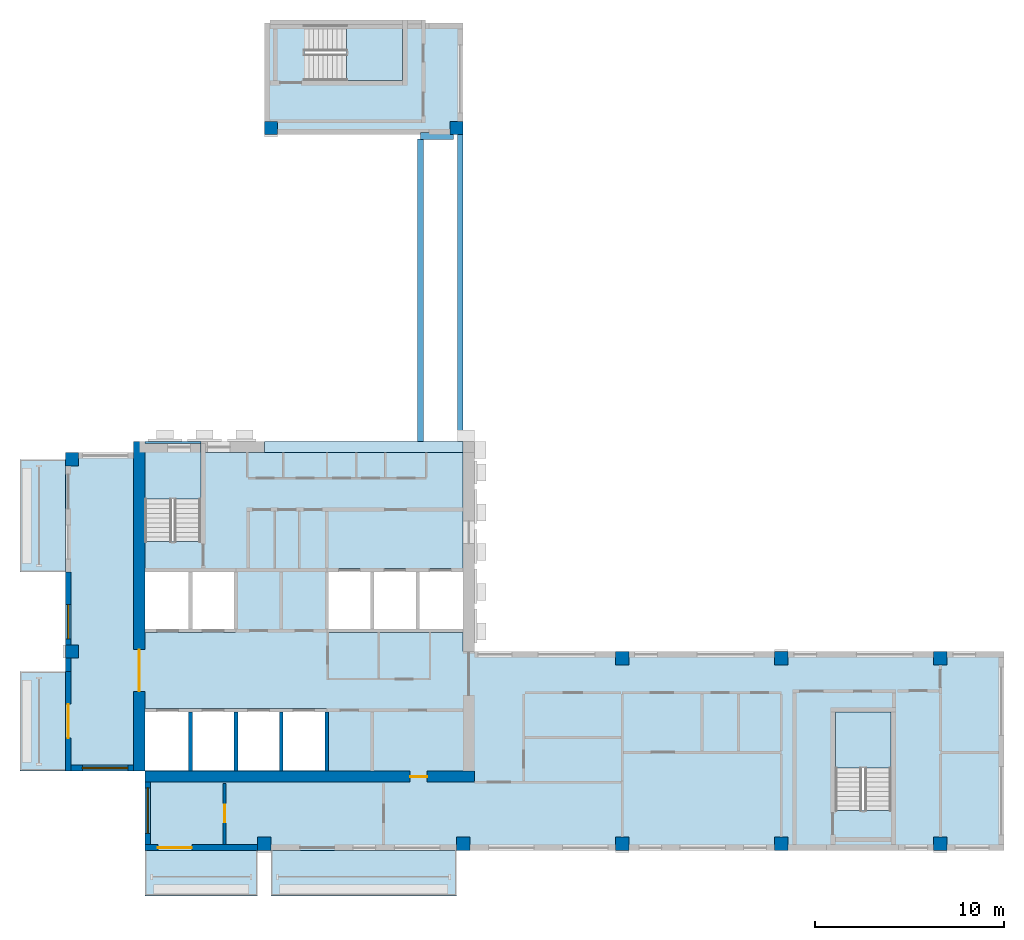
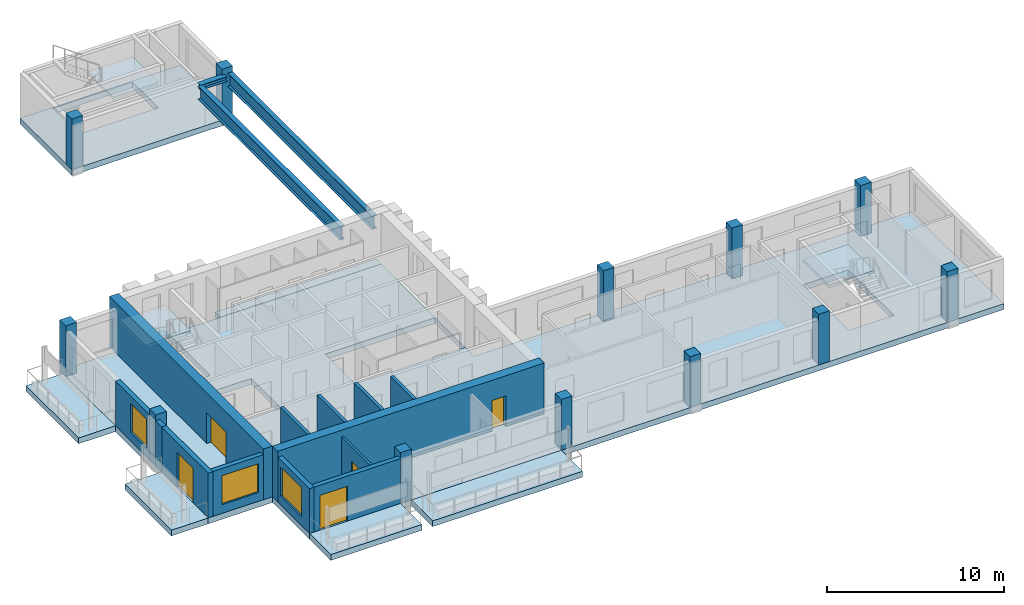
# One storey, part 1 of 9: 13 walls, 12 columns, 11 slabs, 5 doors, 3 beams, 3 windows, 8 openings, 3 elements without a shape of their own.
"""IFC4 building model written with IfcOpenShell, lengths in metres."""

from ifc_helpers import new_model, si_unit, direction, frame, frame_2d, origin, origin_2d, place, context, subcontext, project, spatial, polyline, rectangle, i_section, outline, extrude, source, transform, mapped, material, layer, layer_set, material_profile, profile_set, type_object, element, fill, aggregate, save


model = new_model("IFC4")

# Units and contexts
model_context = context("Model", 3, precision=1e-05, world=origin(), true_north=direction((0.0, 1.0)))
body_context = subcontext(model_context, "Body", "Model", "MODEL_VIEW")
ifc_project = project(units=[si_unit("LENGTHUNIT", "METRE"), si_unit("AREAUNIT", "SQUARE_METRE"), si_unit("VOLUMEUNIT", "CUBIC_METRE"), si_unit("PLANEANGLEUNIT", "RADIAN"), si_unit("MASSUNIT", "GRAM", prefix="KILO")], contexts=[model_context])

# Site, building, storey
site_placement = place(None, origin())
site = spatial("IfcSite", under=ifc_project, at=site_placement, CompositionType="ELEMENT")
building_placement = place(site_placement, origin())
building = spatial("IfcBuilding", under=site, at=building_placement, Name="Aurelian Terraces", CompositionType="ELEMENT")
storey_placement = place(building_placement, frame((0.0, 0.0, 319.5)))
storey = spatial("IfcBuildingStorey", under=building, at=storey_placement, Name="L74", CompositionType="ELEMENT", Elevation=319.5)

# Columns
ifc_material_1 = material(Name="Concrete fc' 55 MPa", Category="concrete")
ifc_material_profile_1 = material_profile(ifc_material_1, rectangle(XDim=0.7, YDim=0.7, at=origin_2d()))
ifc_profile_set_1 = profile_set([ifc_material_profile_1], Name="Concrete fc' 55 MPa")
column_type = type_object("IfcColumnType", Name="RC COLUMN 700X700 FC55", PredefinedType="COLUMN", material=ifc_profile_set_1)
shared_shape_1 = source(origin(), body_context, "Body", "SweptSolid", [
    extrude(rectangle(XDim=0.7, YDim=0.7, at=origin_2d()), origin(), (0.0, 0.0, 1.0), 3.5),
])
for number, where, z_axis, x_axis, name in (
    (1, (10.5, 0.35, 0.0), (0.0, 0.0, 1.0), (1.0, 0.0, 0.0), "Column 2/A L74"),
    (2, (21.0, 0.35, 0.0), (0.0, 0.0, 1.0), (1.0, 0.0, 0.0), "Column 3/A L74"),
    (3, (29.4, 0.35, 0.0), (0.0, 0.0, 1.0), (1.0, 0.0, 0.0), "Column 4/A L74"),
    (4, (37.8, 0.35, 0.0), (0.0, 0.0, 1.0), (1.0, 0.0, 0.0), "Column 5/A L74"),
    (5, (46.2, 0.35, 0.0), (0.0, 0.0, 1.0), (1.0, 0.0, 0.0), "Column 6/A L74"),
    (6, (0.35, 10.5, 0.0), (0.0, 0.0, 1.0), (1.0, 0.0, 0.0), "Column 1/B L74"),
    (7, (29.4, 10.15, 0.0), (0.0, 0.0, 1.0), (1.0, 0.0, 0.0), "Column 4/B L74"),
    (8, (37.8, 10.15, 0.0), (0.0, 0.0, 1.0), (1.0, 0.0, 0.0), "Column 5/B L74"),
    (9, (46.2, 10.15, 0.0), (0.0, 0.0, 1.0), (1.0, 0.0, 0.0), "Column 6/B L74"),
    (10, (0.35, 20.65, 0.0), (0.0, 0.0, 1.0), (1.0, 0.0, 0.0), "Column 1/C L74"),
    (11, (10.85, 38.15, 0.0), (0.0, 0.0, 1.0), (1.0, 0.0, 0.0), "Column 2/E L74"),
    (12, (20.65, 38.15, 0.0), (0.0, 0.0, 1.0), (1.0, 0.0, 0.0), "Column 3/E L74"),
):
    element("IfcColumn", number, at=place(storey_placement, frame(where, z_axis=z_axis, x_axis=x_axis)), inside=storey, type_object=column_type, Name=name, PredefinedType="COLUMN", context=body_context, shape_type="MappedRepresentation", body=[
        mapped(shared_shape_1, transform((0.0, 0.0, 0.0), scale=1.0)),
    ])

# Beams
ifc_material_2 = material(Name="Steel ASTM A992 Gr50", Category="steel")
ifc_material_profile_2 = material_profile(ifc_material_2, i_section(OverallWidth=0.3077, OverallDepth=0.9268, WebThickness=0.0194, FlangeThickness=0.032, at=origin_2d()))
ifc_profile_set_2 = profile_set([ifc_material_profile_2], Name="Steel ASTM A992 Gr50")
beam_type_1 = type_object("IfcBeamType", Name="PC903 PORTAL CHORD W36X194", PredefinedType="BEAM", material=ifc_profile_set_2)
shared_shape_2 = source(origin(), body_context, "Body", "SweptSolid", [
    extrude(i_section(OverallWidth=0.3077, OverallDepth=0.9268, WebThickness=0.0194, FlangeThickness=0.032, at=origin_2d()), origin(), (0.0, 0.0, 1.0), 16.0556),
])
beam_1_placement = place(storey_placement, frame((18.7538, 21.5, 2.6364), z_axis=(0.0, 1.0, 0.0), x_axis=(-1.0, 0.0, 0.0)))
element("IfcBeam", 13, at=beam_1_placement, inside=storey, type_object=beam_type_1, Name="Link girder 1 L75", PredefinedType="BEAM", context=body_context, shape_type="MappedRepresentation", body=[
    mapped(shared_shape_2, transform((0.0, 0.0, 0.0), scale=1.0)),
])
shared_shape_3 = source(origin(), body_context, "Body", "SweptSolid", [
    extrude(i_section(OverallWidth=0.3077, OverallDepth=0.9268, WebThickness=0.0194, FlangeThickness=0.032, at=origin_2d()), origin(), (0.0, 0.0, 1.0), 16.3),
])
beam_2_placement = place(storey_placement, frame((20.8462, 21.5, 2.6364), z_axis=(0.0, 1.0, 0.0), x_axis=(-1.0, 0.0, 0.0)))
element("IfcBeam", 14, at=beam_2_placement, inside=storey, type_object=beam_type_1, Name="Link girder 2 L75", PredefinedType="BEAM", context=body_context, shape_type="MappedRepresentation", body=[
    mapped(shared_shape_3, transform((0.0, 0.0, 0.0), scale=1.0)),
])
ifc_material_profile_3 = material_profile(ifc_material_2, i_section(OverallWidth=0.3688, OverallDepth=0.3561, WebThickness=0.0112, FlangeThickness=0.018, at=origin_2d()))
ifc_profile_set_3 = profile_set([ifc_material_profile_3], Name="Steel ASTM A992 Gr50")
beam_type_2 = type_object("IfcBeamType", Name="PC904 PORTAL CHORD W14X90", PredefinedType="BEAM", material=ifc_profile_set_3)
shared_shape_4 = source(origin(), body_context, "Body", "SweptSolid", [
    extrude(i_section(OverallWidth=0.3688, OverallDepth=0.3561, WebThickness=0.0112, FlangeThickness=0.018, at=origin_2d()), origin(), (0.0, 0.0, 1.0), 1.7462),
])
beam_3_placement = place(storey_placement, frame((18.7538, 37.72, 2.9218), z_axis=(1.0, 0.0, 0.0), x_axis=(0.0, 1.0, 0.0)))
element("IfcBeam", 15, at=beam_3_placement, inside=storey, type_object=beam_type_2, Name="Link cross beam L75", PredefinedType="BEAM", context=body_context, shape_type="MappedRepresentation", body=[
    mapped(shared_shape_4, transform((0.0, 0.0, 0.0), scale=1.0)),
])

# Slabs
ifc_material_3 = material(Name="Concrete fc' 40 MPa", Category="concrete")
ifc_layer_1 = layer(ifc_material_3, 0.4)
ifc_layer_set_1 = layer_set([ifc_layer_1], Name="PT FLAT PLATE 400")
slab_type_1 = type_object("IfcSlabType", Name="PT FLAT PLATE 400", PredefinedType="FLOOR", material=ifc_layer_set_1)
shared_shape_5 = source(origin(), body_context, "Body", "SweptSolid", [
    extrude(outline(polyline([(21.0, 0.0), (4.2, 0.0), (4.2, 4.2), (0.0, 4.2), (0.0, 10.5), (0.0, 21.0), (4.21, 21.0), (4.21, 16.31), (7.14, 16.31), (7.14, 21.0), (21.0, 21.0), (21.0, 10.5), (49.56, 10.5), (49.56, 6.3), (49.56, 4.2), (49.56, 0.0), (21.0, 0.0)]), holes=[polyline([(40.66, 2.11), (43.59, 2.11), (43.59, 7.29), (40.66, 7.29), (40.66, 2.11)]), polyline([(13.81, 14.89), (13.81, 11.51), (20.99, 11.51), (20.99, 14.89), (13.81, 14.89)]), polyline([(4.21, 7.49), (4.21, 4.21), (13.79, 4.21), (13.79, 7.49), (4.21, 7.49)]), polyline([(8.99, 11.51), (8.99, 14.89), (4.21, 14.89), (4.21, 11.51), (8.99, 11.51)])]), origin(), (0.0, 0.0, 1.0), 0.4),
])
slab_1_placement = place(storey_placement, frame((0.0, 0.0, -0.4)))
element("IfcSlab", 16, at=slab_1_placement, inside=storey, type_object=slab_type_1, Name="Floor slab S L74", PredefinedType="FLOOR", context=body_context, shape_type="MappedRepresentation", body=[
    mapped(shared_shape_5, transform((0.0, 0.0, 0.0), scale=1.0)),
])
shared_shape_6 = source(origin(), body_context, "Body", "SweptSolid", [
    extrude(outline(polyline([(14.7, 43.68), (16.8, 43.68), (21.0, 43.68), (21.0, 37.8), (10.5, 37.8), (10.5, 43.68), (14.7, 43.68)]), holes=[polyline([(17.79, 43.59), (12.61, 43.59), (12.61, 40.66), (17.79, 40.66), (17.79, 43.59)])]), origin(), (0.0, 0.0, 1.0), 0.4),
])
slab_2_placement = place(storey_placement, frame((0.0, 0.0, -0.4)))
element("IfcSlab", 17, at=slab_2_placement, inside=storey, type_object=slab_type_1, Name="Floor slab W L74", PredefinedType="FLOOR", context=body_context, shape_type="MappedRepresentation", body=[
    mapped(shared_shape_6, transform((0.0, 0.0, 0.0), scale=1.0)),
])
shared_shape_7 = source(origin(), body_context, "Body", "SweptSolid", [
    extrude(outline(polyline([(21.0, 21.6), (21.0, 21.0), (10.5, 21.0), (10.5, 21.6), (21.0, 21.6)])), origin(), (0.0, 0.0, 1.0), 0.4),
])
slab_3_placement = place(storey_placement, frame((0.0, 0.0, -0.4)))
element("IfcSlab", 18, at=slab_3_placement, inside=storey, type_object=slab_type_1, Name="Floor slab W2 L74", PredefinedType="FLOOR", context=body_context, shape_type="MappedRepresentation", body=[
    mapped(shared_shape_7, transform((0.0, 0.0, 0.0), scale=1.0)),
])
shared_shape_8 = source(origin(), body_context, "Body", "SweptSolid", [
    extrude(outline(polyline([(4.2, 21.6), (7.15, 21.6), (7.15, 21.0), (7.14, 21.0), (7.14, 21.49), (4.21, 21.49), (4.21, 21.0), (4.2, 21.0), (4.2, 21.6)])), origin(), (0.0, 0.0, 1.0), 0.4),
])
slab_4_placement = place(storey_placement, frame((0.0, 0.0, -0.4)))
element("IfcSlab", 19, at=slab_4_placement, inside=storey, type_object=slab_type_1, Name="Floor slab W3 L74", PredefinedType="FLOOR", context=body_context, shape_type="MappedRepresentation", body=[
    mapped(shared_shape_8, transform((0.0, 0.0, 0.0), scale=1.0)),
])
ifc_layer_2 = layer(ifc_material_3, 0.4)
ifc_layer_set_2 = layer_set([ifc_layer_2], Name="Balcony slab 400")
slab_type_2 = type_object("IfcSlabType", Name="Balcony slab 400", PredefinedType="NOTDEFINED", material=ifc_layer_set_2)
shared_shape_9 = source(origin(), body_context, "Body", "SweptSolid", [
    extrude(outline(polyline([(0.0, 9.45), (0.0, 4.2), (-2.4, 4.2), (-2.4, 9.45), (0.0, 9.45)])), origin(), (0.0, 0.0, 1.0), 0.4),
])
slab_5_placement = place(storey_placement, frame((0.0, 0.0, -0.4)))
element("IfcSlab", 20, at=slab_5_placement, inside=storey, type_object=slab_type_2, Name="Balcony slab L74 F12.20", PredefinedType="NOTDEFINED", context=body_context, shape_type="MappedRepresentation", body=[
    mapped(shared_shape_9, transform((0.0, 0.0, 0.0), scale=1.0)),
])
shared_shape_10 = source(origin(), body_context, "Body", "SweptSolid", [
    extrude(outline(polyline([(4.2, 0.0), (10.15, 0.0), (10.15, -2.4), (4.2, -2.4), (4.2, 0.0)])), origin(), (0.0, 0.0, 1.0), 0.4),
])
slab_6_placement = place(storey_placement, frame((0.0, 0.0, -0.4)))
element("IfcSlab", 21, at=slab_6_placement, inside=storey, type_object=slab_type_2, Name="Balcony slab L74 F01.1", PredefinedType="NOTDEFINED", context=body_context, shape_type="MappedRepresentation", body=[
    mapped(shared_shape_10, transform((0.0, 0.0, 0.0), scale=1.0)),
])
shared_shape_11 = source(origin(), body_context, "Body", "SweptSolid", [
    extrude(outline(polyline([(0.0, 20.65), (0.0, 14.7), (-2.4, 14.7), (-2.4, 20.65), (0.0, 20.65)])), origin(), (0.0, 0.0, 1.0), 0.4),
])
slab_7_placement = place(storey_placement, frame((0.0, 0.0, -0.4)))
element("IfcSlab", 22, at=slab_7_placement, inside=storey, type_object=slab_type_2, Name="Balcony slab L74 F12.18", PredefinedType="NOTDEFINED", context=body_context, shape_type="MappedRepresentation", body=[
    mapped(shared_shape_11, transform((0.0, 0.0, 0.0), scale=1.0)),
])
shared_shape_12 = source(origin(), body_context, "Body", "SweptSolid", [
    extrude(outline(polyline([(10.85, 0.0), (20.65, 0.0), (20.65, -2.4), (10.85, -2.4), (10.85, 0.0)])), origin(), (0.0, 0.0, 1.0), 0.4),
])
slab_8_placement = place(storey_placement, frame((0.0, 0.0, -0.4)))
element("IfcSlab", 23, at=slab_8_placement, inside=storey, type_object=slab_type_2, Name="Balcony slab L74 F01.2", PredefinedType="NOTDEFINED", context=body_context, shape_type="MappedRepresentation", body=[
    mapped(shared_shape_12, transform((0.0, 0.0, 0.0), scale=1.0)),
])

# Stair, slab
stair_type = type_object("IfcStairType", Name="Stair 1400", PredefinedType="HALF_TURN_STAIR", material=ifc_material_3)
stair_1_placement = place(storey_placement, origin())
stair_1 = element("IfcStair", 24, at=stair_1_placement, inside=storey, type_object=stair_type, Name="L74 S1", PredefinedType="HALF_TURN_STAIR")
ifc_layer_3 = layer(ifc_material_3, 0.2)
ifc_layer_set_3 = layer_set([ifc_layer_3], Name="Stair landing 200")
slab_type_3 = type_object("IfcSlabType", Name="Stair landing 200", PredefinedType="LANDING", material=ifc_layer_set_3)
shared_shape_13 = source(origin(), body_context, "Body", "SweptSolid", [
    extrude(outline(polyline([(7.15, 18.55), (7.15, 21.5), (4.2, 21.5), (4.2, 18.55), (7.15, 18.55)])), origin(), (0.0, 0.0, 1.0), 0.2),
])
slab_9_placement = place(storey_placement, frame((0.0, 0.0, 1.55)))
slab_9 = element("IfcSlab", 25, at=slab_9_placement, type_object=slab_type_3, Name="S1 landing 1", PredefinedType="LANDING", context=body_context, shape_type="MappedRepresentation", body=[
    mapped(shared_shape_13, transform((0.0, 0.0, 0.0), scale=1.0)),
])
aggregate(stair_1, [slab_9])

stair_2_placement = place(storey_placement, origin())
stair_2 = element("IfcStair", 26, at=stair_2_placement, inside=storey, type_object=stair_type, Name="L74 S2", PredefinedType="HALF_TURN_STAIR")
shared_shape_14 = source(origin(), body_context, "Body", "SweptSolid", [
    extrude(outline(polyline([(43.6, 4.35), (43.6, 7.3), (40.65, 7.3), (40.65, 4.35), (43.6, 4.35)])), origin(), (0.0, 0.0, 1.0), 0.2),
])
slab_10_placement = place(storey_placement, frame((0.0, 0.0, 1.55)))
slab_10 = element("IfcSlab", 27, at=slab_10_placement, type_object=slab_type_3, Name="S2 landing 1", PredefinedType="LANDING", context=body_context, shape_type="MappedRepresentation", body=[
    mapped(shared_shape_14, transform((0.0, 0.0, 0.0), scale=1.0)),
])
aggregate(stair_2, [slab_10])

stair_3_placement = place(storey_placement, origin())
stair_3 = element("IfcStair", 28, at=stair_3_placement, inside=storey, type_object=stair_type, Name="L74 S3U", PredefinedType="HALF_TURN_STAIR")
shared_shape_15 = source(origin(), body_context, "Body", "SweptSolid", [
    extrude(outline(polyline([(14.85, 40.65), (17.8, 40.65), (17.8, 43.6), (14.85, 43.6), (14.85, 40.65)])), origin(), (0.0, 0.0, 1.0), 0.2),
])
slab_11_placement = place(storey_placement, frame((0.0, 0.0, 1.55)))
slab_11 = element("IfcSlab", 29, at=slab_11_placement, type_object=slab_type_3, Name="S3U landing 1", PredefinedType="LANDING", context=body_context, shape_type="MappedRepresentation", body=[
    mapped(shared_shape_15, transform((0.0, 0.0, 0.0), scale=1.0)),
])
aggregate(stair_3, [slab_11])

# Wall, opening, door
ifc_layer_4 = layer(ifc_material_1, 0.6)
ifc_layer_set_4 = layer_set([ifc_layer_4], Name="CORE WALL 600 FC55")
wall_type_1 = type_object("IfcWallType", Name="CORE WALL 600 FC55", PredefinedType="SHEAR", material=ifc_layer_set_4)
shared_shape_16 = source(origin(), body_context, "Body", "SweptSolid", [
    extrude(rectangle(XDim=17.4, YDim=0.6, at=frame_2d((8.7, 0.0))), origin(), (0.0, 0.0, 1.0), 3.5),
])
wall_1_placement = place(storey_placement, frame((3.9, 4.2, 0.0), z_axis=(0.0, 0.0, 1.0), x_axis=(0.0, 1.0, 0.0)))
wall_1 = element("IfcWall", 30, at=wall_1_placement, inside=storey, type_object=wall_type_1, Name="Core wall W L74", PredefinedType="SHEAR", context=body_context, shape_type="MappedRepresentation", body=[
    mapped(shared_shape_16, transform((0.0, 0.0, 0.0), scale=1.0)),
])
shared_shape_17 = source(origin(), body_context, "Body", "SweptSolid", [
    extrude(rectangle(XDim=2.2, YDim=2.1, at=frame_2d((1.1, 1.05))), frame((0.0, 0.31, 0.0), z_axis=(0.0, -1.0, 0.0), x_axis=(1.0, 0.0, 0.0)), (0.0, 0.0, 1.0), 0.62),
])
opening_1_placement = place(wall_1_placement, frame((4.2, 0.0, 0.0)))
opening_1 = element("IfcOpeningElement", 31, at=opening_1_placement, cuts=wall_1, Name="Opening 67732", PredefinedType="OPENING", context=body_context, shape_type="MappedRepresentation", body=[
    mapped(shared_shape_17, transform((0.0, 0.0, 0.0), scale=1.0)),
])
ifc_material_4 = material(Name="Steel door leaf", Category="steel")
door_type_1 = type_object("IfcDoorType", Name="Core double door 2200x2100", OperationType="DOUBLE_DOOR_SINGLE_SWING", PredefinedType="DOOR", material=ifc_material_4)
shared_shape_18 = source(origin(), body_context, "Body", "SweptSolid", [
    extrude(rectangle(XDim=2.2, YDim=2.1, at=frame_2d((1.1, 1.05))), frame((0.0, 0.025, 0.0), z_axis=(0.0, -1.0, 0.0), x_axis=(1.0, 0.0, 0.0)), (0.0, 0.0, 1.0), 0.05),
])
door_1_placement = place(opening_1_placement, origin())
door_1 = element("IfcDoor", 32, at=door_1_placement, inside=storey, type_object=door_type_1, Name="Core door 67732", OperationType="DOUBLE_DOOR_SINGLE_SWING", OverallHeight=2.1, OverallWidth=2.2, PredefinedType="DOOR", context=body_context, shape_type="MappedRepresentation", body=[
    mapped(shared_shape_18, transform((0.0, 0.0, 0.0), scale=1.0)),
])
fill(opening_1, door_1)

wall_2_placement = place(storey_placement, frame((4.2, 3.9, 0.0), z_axis=(0.0, 0.0, 1.0), x_axis=(1.0, 0.0, 0.0)))
wall_2 = element("IfcWall", 33, at=wall_2_placement, inside=storey, type_object=wall_type_1, Name="Core wall S L74", PredefinedType="SHEAR", context=body_context, shape_type="MappedRepresentation", body=[
    mapped(shared_shape_16, transform((0.0, 0.0, 0.0), scale=1.0)),
])
shared_shape_19 = source(origin(), body_context, "Body", "SweptSolid", [
    extrude(rectangle(XDim=0.9, YDim=2.1, at=frame_2d((0.45, 1.05))), frame((0.0, 0.31, 0.0), z_axis=(0.0, -1.0, 0.0), x_axis=(1.0, 0.0, 0.0)), (0.0, 0.0, 1.0), 0.62),
])
opening_2_placement = place(wall_2_placement, frame((14.0, 0.0, 0.0)))
opening_2 = element("IfcOpeningElement", 34, at=opening_2_placement, cuts=wall_2, Name="Opening 67733", PredefinedType="OPENING", context=body_context, shape_type="MappedRepresentation", body=[
    mapped(shared_shape_19, transform((0.0, 0.0, 0.0), scale=1.0)),
])
door_type_2 = type_object("IfcDoorType", Name="Core service door 900x2100 right", OperationType="SINGLE_SWING_RIGHT", PredefinedType="DOOR", material=ifc_material_4)
shared_shape_20 = source(origin(), body_context, "Body", "SweptSolid", [
    extrude(rectangle(XDim=0.9, YDim=2.1, at=frame_2d((0.45, 1.05))), frame((0.0, 0.025, 0.0), z_axis=(0.0, -1.0, 0.0), x_axis=(1.0, 0.0, 0.0)), (0.0, 0.0, 1.0), 0.05),
])
door_2_placement = place(opening_2_placement, origin())
door_2 = element("IfcDoor", 35, at=door_2_placement, inside=storey, type_object=door_type_2, Name="Core door 67733", OperationType="SINGLE_SWING_RIGHT", OverallHeight=2.1, OverallWidth=0.9, PredefinedType="DOOR", context=body_context, shape_type="MappedRepresentation", body=[
    mapped(shared_shape_20, transform((0.0, 0.0, 0.0), scale=1.0)),
])
fill(opening_2, door_2)

# Wall, opening, window
ifc_material_5 = material(Name="Terracotta rainscreen cladding", Category="masonry")
ifc_layer_5 = layer(ifc_material_5, 0.3)
ifc_layer_set_5 = layer_set([ifc_layer_5], Name="EW-300")
wall_type_2 = type_object("IfcWallType", Name="EW-300", PredefinedType="STANDARD", material=ifc_layer_set_5)
shared_shape_21 = source(origin(), body_context, "Body", "SweptSolid", [
    extrude(rectangle(XDim=3.6, YDim=0.3, at=frame_2d((1.8, 0.0))), origin(), (0.0, 0.0, 1.0), 3.1),
])
wall_3_placement = place(storey_placement, frame((0.0, 4.35, 0.0), z_axis=(0.0, 0.0, 1.0), x_axis=(1.0, 0.0, 0.0)))
wall_3 = element("IfcWall", 36, at=wall_3_placement, inside=storey, type_object=wall_type_2, Name="External wall L74 F13.21", PredefinedType="STANDARD", context=body_context, shape_type="MappedRepresentation", body=[
    mapped(shared_shape_21, transform((0.0, 0.0, 0.0), scale=1.0)),
])
shared_shape_22 = source(origin(), body_context, "Body", "SweptSolid", [
    extrude(rectangle(XDim=2.4, YDim=2.0, at=frame_2d((1.2, 1.0))), frame((0.0, 0.16, 0.0), z_axis=(0.0, -1.0, 0.0), x_axis=(1.0, 0.0, 0.0)), (0.0, 0.0, 1.0), 0.32),
])
opening_3_placement = place(wall_3_placement, frame((0.9, 0.0, 0.6)))
opening_3 = element("IfcOpeningElement", 37, at=opening_3_placement, cuts=wall_3, Name="Opening W2420", PredefinedType="OPENING", context=body_context, shape_type="MappedRepresentation", body=[
    mapped(shared_shape_22, transform((0.0, 0.0, 0.0), scale=1.0)),
])
ifc_material_6 = material(Name="Clear glazing", Category="glass")
window_type_1 = type_object("IfcWindowType", Name="W-2400x2000", PartitioningType="SINGLE_PANEL", PredefinedType="WINDOW", material=ifc_material_6)
shared_shape_23 = source(origin(), body_context, "Body", "SweptSolid", [
    extrude(rectangle(XDim=2.4, YDim=2.0, at=frame_2d((1.2, 1.0))), frame((0.0, 0.03, 0.0), z_axis=(0.0, -1.0, 0.0), x_axis=(1.0, 0.0, 0.0)), (0.0, 0.0, 1.0), 0.06),
])
window_1_placement = place(opening_3_placement, origin())
window_1 = element("IfcWindow", 38, at=window_1_placement, inside=storey, type_object=window_type_1, Name="Window L74 L74-F13-21-0", OverallHeight=2.0, OverallWidth=2.4, PartitioningType="SINGLE_PANEL", PredefinedType="WINDOW", context=body_context, shape_type="MappedRepresentation", body=[
    mapped(shared_shape_23, transform((0.0, 0.0, 0.0), scale=1.0)),
])
fill(opening_3, window_1)

wall_4_placement = place(storey_placement, frame((4.35, 3.6, 0.0), z_axis=(0.0, 0.0, 1.0), x_axis=(0.0, -1.0, 0.0)))
wall_4 = element("IfcWall", 39, at=wall_4_placement, inside=storey, type_object=wall_type_2, Name="External wall L74 F14.22", PredefinedType="STANDARD", context=body_context, shape_type="MappedRepresentation", body=[
    mapped(shared_shape_21, transform((0.0, 0.0, 0.0), scale=1.0)),
])
opening_4_placement = place(wall_4_placement, frame((0.3, 0.0, 0.6)))
opening_4 = element("IfcOpeningElement", 40, at=opening_4_placement, cuts=wall_4, Name="Opening W2420", PredefinedType="OPENING", context=body_context, shape_type="MappedRepresentation", body=[
    mapped(shared_shape_22, transform((0.0, 0.0, 0.0), scale=1.0)),
])
window_2_placement = place(opening_4_placement, origin())
window_2 = element("IfcWindow", 41, at=window_2_placement, inside=storey, type_object=window_type_1, Name="Window L74 L74-F14-22-0", OverallHeight=2.0, OverallWidth=2.4, PartitioningType="SINGLE_PANEL", PredefinedType="WINDOW", context=body_context, shape_type="MappedRepresentation", body=[
    mapped(shared_shape_23, transform((0.0, 0.0, 0.0), scale=1.0)),
])
fill(opening_4, window_2)

# Wall, opening, door
shared_shape_24 = source(origin(), body_context, "Body", "SweptSolid", [
    extrude(rectangle(XDim=5.95, YDim=0.3, at=frame_2d((2.975, 0.0))), origin(), (0.0, 0.0, 1.0), 3.1),
])
wall_5_placement = place(storey_placement, frame((4.2, 0.15, 0.0), z_axis=(0.0, 0.0, 1.0), x_axis=(1.0, 0.0, 0.0)))
wall_5 = element("IfcWall", 42, at=wall_5_placement, inside=storey, type_object=wall_type_2, Name="External wall L74 F01.1", PredefinedType="STANDARD", context=body_context, shape_type="MappedRepresentation", body=[
    mapped(shared_shape_24, transform((0.0, 0.0, 0.0), scale=1.0)),
])
shared_shape_25 = source(origin(), body_context, "Body", "SweptSolid", [
    extrude(rectangle(XDim=1.8, YDim=2.4, at=frame_2d((0.9, 1.2))), frame((0.0, 0.16, 0.0), z_axis=(0.0, -1.0, 0.0), x_axis=(1.0, 0.0, 0.0)), (0.0, 0.0, 1.0), 0.32),
])
opening_5_placement = place(wall_5_placement, frame((0.675, 0.0, 0.0)))
opening_5 = element("IfcOpeningElement", 43, at=opening_5_placement, cuts=wall_5, Name="Opening 87401", PredefinedType="OPENING", context=body_context, shape_type="MappedRepresentation", body=[
    mapped(shared_shape_25, transform((0.0, 0.0, 0.0), scale=1.0)),
])
door_type_3 = type_object("IfcDoorType", Name="BD-1800x2400", OperationType="SLIDING_TO_LEFT", PredefinedType="DOOR", material=ifc_material_6)
shared_shape_26 = source(origin(), body_context, "Body", "SweptSolid", [
    extrude(rectangle(XDim=1.8, YDim=2.4, at=frame_2d((0.9, 1.2))), frame((0.0, 0.025, 0.0), z_axis=(0.0, -1.0, 0.0), x_axis=(1.0, 0.0, 0.0)), (0.0, 0.0, 1.0), 0.05),
])
door_3_placement = place(opening_5_placement, origin())
door_3 = element("IfcDoor", 44, at=door_3_placement, inside=storey, type_object=door_type_3, Name="Balcony door L74 F01.1", OperationType="SLIDING_TO_LEFT", OverallHeight=2.4, OverallWidth=1.8, PredefinedType="DOOR", context=body_context, shape_type="MappedRepresentation", body=[
    mapped(shared_shape_26, transform((0.0, 0.0, 0.0), scale=1.0)),
])
fill(opening_5, door_3)

# Wall, opening, window
shared_shape_27 = source(origin(), body_context, "Body", "SweptSolid", [
    extrude(rectangle(XDim=3.85, YDim=0.3, at=frame_2d((1.925, 0.0))), origin(), (0.0, 0.0, 1.0), 3.1),
])
wall_6_placement = place(storey_placement, frame((0.15, 14.7, 0.0), z_axis=(0.0, 0.0, 1.0), x_axis=(0.0, -1.0, 0.0)))
wall_6 = element("IfcWall", 45, at=wall_6_placement, inside=storey, type_object=wall_type_2, Name="External wall L74 F12.19", PredefinedType="STANDARD", context=body_context, shape_type="MappedRepresentation", body=[
    mapped(shared_shape_27, transform((0.0, 0.0, 0.0), scale=1.0)),
])
shared_shape_28 = source(origin(), body_context, "Body", "SweptSolid", [
    extrude(rectangle(XDim=1.8, YDim=2.0, at=frame_2d((0.9, 1.0))), frame((0.0, 0.16, 0.0), z_axis=(0.0, -1.0, 0.0), x_axis=(1.0, 0.0, 0.0)), (0.0, 0.0, 1.0), 0.32),
])
opening_6_placement = place(wall_6_placement, frame((1.725, 0.0, 0.6)))
opening_6 = element("IfcOpeningElement", 46, at=opening_6_placement, cuts=wall_6, Name="Opening W1820", PredefinedType="OPENING", context=body_context, shape_type="MappedRepresentation", body=[
    mapped(shared_shape_28, transform((0.0, 0.0, 0.0), scale=1.0)),
])
window_type_2 = type_object("IfcWindowType", Name="W-1800x2000", PartitioningType="SINGLE_PANEL", PredefinedType="WINDOW", material=ifc_material_6)
shared_shape_29 = source(origin(), body_context, "Body", "SweptSolid", [
    extrude(rectangle(XDim=1.8, YDim=2.0, at=frame_2d((0.9, 1.0))), frame((0.0, 0.03, 0.0), z_axis=(0.0, -1.0, 0.0), x_axis=(1.0, 0.0, 0.0)), (0.0, 0.0, 1.0), 0.06),
])
window_3_placement = place(opening_6_placement, origin())
window_3 = element("IfcWindow", 47, at=window_3_placement, inside=storey, type_object=window_type_2, Name="Window L74 L74-F12-19-0", OverallHeight=2.0, OverallWidth=1.8, PartitioningType="SINGLE_PANEL", PredefinedType="WINDOW", context=body_context, shape_type="MappedRepresentation", body=[
    mapped(shared_shape_29, transform((0.0, 0.0, 0.0), scale=1.0)),
])
fill(opening_6, window_3)

# Wall
shared_shape_30 = source(origin(), body_context, "Body", "SweptSolid", [
    extrude(rectangle(XDim=0.7, YDim=0.3, at=frame_2d((0.35, 0.0))), origin(), (0.0, 0.0, 1.0), 3.1),
])
wall_7_placement = place(storey_placement, frame((0.15, 10.15, 0.0), z_axis=(0.0, 0.0, 1.0), x_axis=(0.0, -1.0, 0.0)))
element("IfcWall", 48, at=wall_7_placement, inside=storey, type_object=wall_type_2, Name="External wall L74 F12.19", PredefinedType="STANDARD", context=body_context, shape_type="MappedRepresentation", body=[
    mapped(shared_shape_30, transform((0.0, 0.0, 0.0), scale=1.0)),
])

# Wall, opening, door
shared_shape_31 = source(origin(), body_context, "Body", "SweptSolid", [
    extrude(rectangle(XDim=5.25, YDim=0.3, at=frame_2d((2.625, 0.0))), origin(), (0.0, 0.0, 1.0), 3.1),
])
wall_8_placement = place(storey_placement, frame((0.15, 9.45, 0.0), z_axis=(0.0, 0.0, 1.0), x_axis=(0.0, -1.0, 0.0)))
wall_8 = element("IfcWall", 49, at=wall_8_placement, inside=storey, type_object=wall_type_2, Name="External wall L74 F12.20", PredefinedType="STANDARD", context=body_context, shape_type="MappedRepresentation", body=[
    mapped(shared_shape_31, transform((0.0, 0.0, 0.0), scale=1.0)),
])
opening_7_placement = place(wall_8_placement, frame((1.725, 0.0, 0.0)))
opening_7 = element("IfcOpeningElement", 50, at=opening_7_placement, cuts=wall_8, Name="Opening 87404", PredefinedType="OPENING", context=body_context, shape_type="MappedRepresentation", body=[
    mapped(shared_shape_25, transform((0.0, 0.0, 0.0), scale=1.0)),
])
door_4_placement = place(opening_7_placement, origin())
door_4 = element("IfcDoor", 51, at=door_4_placement, inside=storey, type_object=door_type_3, Name="Balcony door L74 F12.20", OperationType="SLIDING_TO_LEFT", OverallHeight=2.4, OverallWidth=1.8, PredefinedType="DOOR", context=body_context, shape_type="MappedRepresentation", body=[
    mapped(shared_shape_26, transform((0.0, 0.0, 0.0), scale=1.0)),
])
fill(opening_7, door_4)

# Walls
ifc_layer_6 = layer(ifc_material_3, 0.2)
ifc_layer_set_6 = layer_set([ifc_layer_6], Name="Lift shaft wall 200")
wall_type_3 = type_object("IfcWallType", Name="Lift shaft wall 200", PredefinedType="SOLIDWALL", material=ifc_layer_set_6)
shared_shape_32 = source(origin(), body_context, "Body", "SweptSolid", [
    extrude(rectangle(XDim=3.1, YDim=0.2, at=frame_2d((1.55, 0.0))), origin(), (0.0, 0.0, 1.0), 3.5),
])
for number, where, z_axis, x_axis, name in (
    (52, (6.6, 4.2, 0.0), (0.0, 0.0, 1.0), (0.0, 1.0, 0.0), "L74 core wall CD-A1"),
    (53, (9.0, 4.2, 0.0), (0.0, 0.0, 1.0), (0.0, 1.0, 0.0), "L74 core wall CD-A2"),
    (54, (11.4, 4.2, 0.0), (0.0, 0.0, 1.0), (0.0, 1.0, 0.0), "L74 core wall CD-A3"),
):
    element("IfcWall", number, at=place(storey_placement, frame(where, z_axis=z_axis, x_axis=x_axis)), inside=storey, type_object=wall_type_3, Name=name, PredefinedType="SOLIDWALL", context=body_context, shape_type="MappedRepresentation", body=[
        mapped(shared_shape_32, transform((0.0, 0.0, 0.0), scale=1.0)),
    ])
shared_shape_33 = source(origin(), body_context, "Body", "SweptSolid", [
    extrude(rectangle(XDim=3.1, YDim=0.2, at=frame_2d((1.55, 0.0))), origin(), (0.0, 0.0, 1.0), 3.1),
])
wall_9_placement = place(storey_placement, frame((13.8, 4.2, 0.0), z_axis=(0.0, 0.0, 1.0), x_axis=(0.0, 1.0, 0.0)))
element("IfcWall", 55, at=wall_9_placement, inside=storey, type_object=wall_type_3, Name="L74 core wall CD-A4", PredefinedType="SOLIDWALL", context=body_context, shape_type="MappedRepresentation", body=[
    mapped(shared_shape_33, transform((0.0, 0.0, 0.0), scale=1.0)),
])

# Wall, opening, door
ifc_material_7 = material(Name="Gypsum board on steel studs", Category="steel")
ifc_layer_7 = layer(ifc_material_7, 0.15)
ifc_layer_set_7 = layer_set([ifc_layer_7], Name="Partition 150")
wall_type_4 = type_object("IfcWallType", Name="Partition 150", PredefinedType="PARTITIONING", material=ifc_layer_set_7)
shared_shape_34 = source(origin(), body_context, "Body", "SweptSolid", [
    extrude(rectangle(XDim=3.225, YDim=0.15, at=frame_2d((1.6125, 0.0))), origin(), (0.0, 0.0, 1.0), 3.1),
])
wall_10_placement = place(storey_placement, frame((8.4, 3.525, 0.0), z_axis=(0.0, 0.0, 1.0), x_axis=(0.0, -1.0, 0.0)))
wall_10 = element("IfcWall", 56, at=wall_10_placement, inside=storey, type_object=wall_type_4, Name="Partition", PredefinedType="PARTITIONING", context=body_context, shape_type="MappedRepresentation", body=[
    mapped(shared_shape_34, transform((0.0, 0.0, 0.0), scale=1.0)),
])
shared_shape_35 = source(origin(), body_context, "Body", "SweptSolid", [
    extrude(rectangle(XDim=0.9, YDim=2.1, at=frame_2d((0.45, 1.05))), frame((0.0, 0.085, 0.0), z_axis=(0.0, -1.0, 0.0), x_axis=(1.0, 0.0, 0.0)), (0.0, 0.0, 1.0), 0.17),
])
opening_8_placement = place(wall_10_placement, frame((1.125, 0.0, 0.0)))
opening_8 = element("IfcOpeningElement", 57, at=opening_8_placement, cuts=wall_10, Name="Opening 774003", PredefinedType="OPENING", context=body_context, shape_type="MappedRepresentation", body=[
    mapped(shared_shape_35, transform((0.0, 0.0, 0.0), scale=1.0)),
])
ifc_material_8 = material(Name="Timber door leaf", Category="wood")
door_type_4 = type_object("IfcDoorType", Name="Room door 900x2100 right", OperationType="SINGLE_SWING_RIGHT", PredefinedType="DOOR", material=ifc_material_8)
door_5_placement = place(opening_8_placement, origin())
door_5 = element("IfcDoor", 58, at=door_5_placement, inside=storey, type_object=door_type_4, Name="Door 774003", OperationType="SINGLE_SWING_RIGHT", OverallHeight=2.1, OverallWidth=0.9, PredefinedType="DOOR", context=body_context, shape_type="MappedRepresentation", body=[
    mapped(shared_shape_20, transform((0.0, 0.0, 0.0), scale=1.0)),
])
fill(opening_8, door_5)

save(model, "model.ifc")
